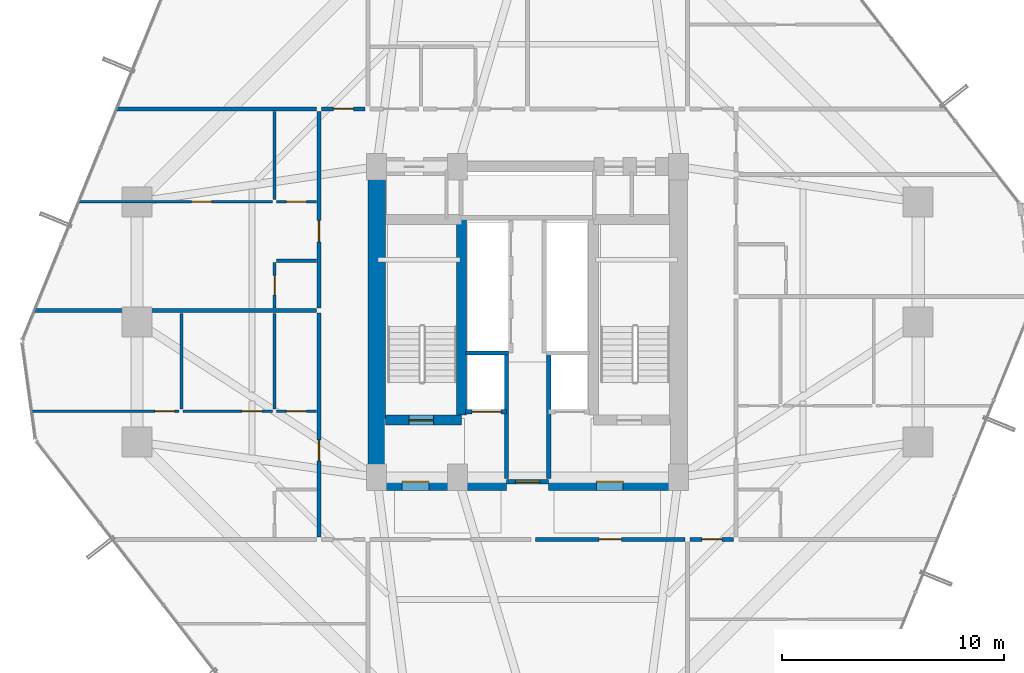
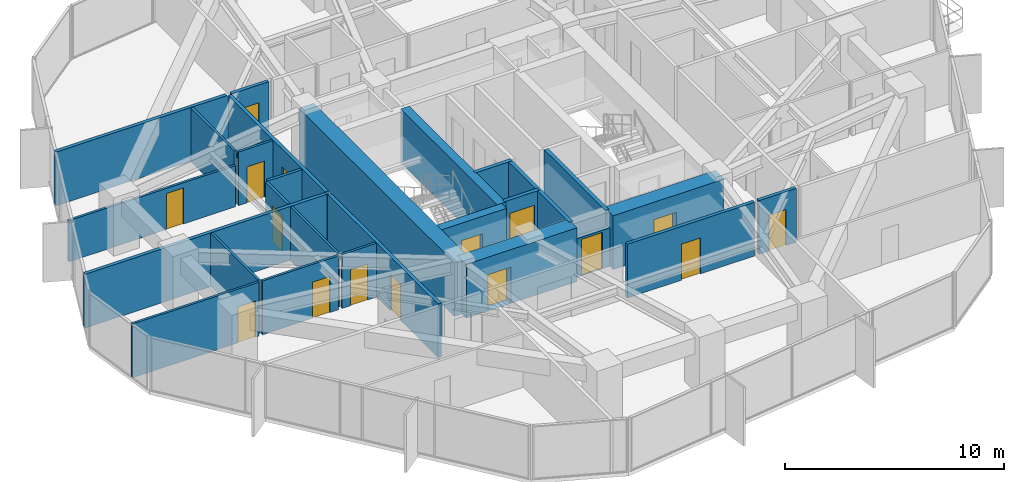
# One storey, part 33 of 37: 27 walls, 16 doors, 16 openings.
"""IFC4 building model written with IfcOpenShell, lengths in metres."""

import ifcopenshell
import ifcopenshell.guid

model = None  # the IFC model being written
_history = None  # IfcOwnerHistory: only IFC2X3 demands one
_inside = {}  # id of a spatial element -> (the spatial element, [elements in it])
_under = {}  # id of a project, library or spatial element -> (it, [spatial elements below it])
_declared = {}  # id of a project -> (the project, [libraries it declares])
_typed = {}  # id of a type object -> (the type object, [elements of that type])
_made_of = {}  # id of a material, layer set ... -> (it, [elements and type objects made of it])


def new_model(schema):
    """Start an empty IFC model of exactly this schema.

    Asked for "IFC4X3", IfcOpenShell would pick the latest addendum, in which some entities
    have other attributes; the version numbers below select the first issue.
    IFC2X3 requires an IfcOwnerHistory on every rooted entity: one is made here for all.
    """
    global model, _history
    if schema == "IFC4X3":
        model = ifcopenshell.file(schema_version=(4, 3, 0, 0))
    else:
        model = ifcopenshell.file(schema=schema)
    _inside.clear()
    _under.clear()
    _declared.clear()
    _typed.clear()
    _made_of.clear()
    _history = None
    if model.schema == "IFC2X3":
        org = make("IfcOrganization", Name="unknown")
        user = make(
            "IfcPersonAndOrganization",
            ThePerson=make("IfcPerson", FamilyName="unknown"),
            TheOrganization=org,
        )
        app = make(
            "IfcApplication",
            ApplicationDeveloper=org,
            Version="unknown",
            ApplicationFullName="unknown",
            ApplicationIdentifier="unknown",
        )
        _history = make(
            "IfcOwnerHistory",
            OwningUser=user,
            OwningApplication=app,
            ChangeAction="ADDED",
            CreationDate=0,
        )
    return model


def make(cls, **values):
    """One entity of the class cls with the attributes given. An attribute that is None is left unset."""
    return model.create_entity(
        cls, **{name: value for name, value in values.items() if value is not None}
    )


def rooted(cls, **values):
    """An entity with a GlobalId (a new one), such as an element, a storey or a relation."""
    return make(cls, GlobalId=ifcopenshell.guid.new(), OwnerHistory=_history, **values)


def si_unit(unit_type, name, prefix=None):
    """IfcSIUnit, for example si_unit("LENGTHUNIT", "METRE", prefix="MILLI")."""
    return make("IfcSIUnit", UnitType=unit_type, Prefix=prefix, Name=name)


def assignment(units):
    """IfcUnitAssignment: the units of a project."""
    return None if units is None else make("IfcUnitAssignment", Units=units)


def point(xyz):
    """IfcCartesianPoint."""
    return None if xyz is None else make("IfcCartesianPoint", Coordinates=xyz)


def direction(xyz):
    """IfcDirection."""
    return None if xyz is None else make("IfcDirection", DirectionRatios=xyz)


def frame(location, z_axis=None, x_axis=None):
    """IfcAxis2Placement3D, a coordinate frame: its origin and axes. An axis left out is left unset."""
    return make(
        "IfcAxis2Placement3D",
        Location=point(location),
        Axis=direction(z_axis),
        RefDirection=direction(x_axis),
    )


def frame_2d(location, x_axis=None):
    """IfcAxis2Placement2D, a coordinate frame in the plane: its origin and x axis."""
    return make(
        "IfcAxis2Placement2D", Location=point(location), RefDirection=direction(x_axis)
    )


def origin():
    """The frame at (0, 0, 0) with its axes left unset."""
    return frame((0.0, 0.0, 0.0))


def place(relative_to, where):
    """IfcLocalPlacement: puts the frame where relative to a parent placement (None: the world)."""
    return make(
        "IfcLocalPlacement", PlacementRelTo=relative_to, RelativePlacement=where
    )


def context(
    kind, dimensions, precision=None, world=None, true_north=None, identifier=None
):
    """IfcGeometricRepresentationContext, for example the 3D "Model" context."""
    return make(
        "IfcGeometricRepresentationContext",
        ContextIdentifier=identifier,
        ContextType=kind,
        CoordinateSpaceDimension=dimensions,
        Precision=precision,
        WorldCoordinateSystem=world,
        TrueNorth=true_north,
    )


def subcontext(parent, identifier, kind, view, scale=None):
    """IfcGeometricRepresentationSubContext, for example "Body" below "Model"."""
    return make(
        "IfcGeometricRepresentationSubContext",
        ContextIdentifier=identifier,
        ContextType=kind,
        ParentContext=parent,
        TargetScale=scale,
        TargetView=view,
    )


def project(units=None, contexts=None):
    """IfcProject with its units and contexts."""
    return rooted(
        "IfcProject",
        Name="project",
        RepresentationContexts=contexts,
        UnitsInContext=assignment(units),
    )


def spatial(cls, under=None, at=None, **own):
    """A site, building, storey or space (cls), placed at a placement, below another one or the project."""
    s = rooted(cls, ObjectPlacement=at, **own)
    if under is not None:
        _under.setdefault(under.id(), (under, []))[1].append(s)
    return s


def profile(cls, at=None, kind="AREA", **sizes):
    """A parametric profile (cls). Its sizes go by their IFC names, for example OverallWidth=200.0."""
    return make(cls, ProfileType=kind, Position=at, **sizes)


def rectangle(**sizes):
    """IfcRectangleProfileDef."""
    return profile("IfcRectangleProfileDef", **sizes)


def extrude(swept, where, along, depth):
    """IfcExtrudedAreaSolid: the profile swept, set in the frame where, extruded along a direction by depth."""
    return make(
        "IfcExtrudedAreaSolid",
        SweptArea=swept,
        Position=where,
        ExtrudedDirection=direction(along),
        Depth=depth,
    )


def shape(context_of_items, identifier, shape_type, items):
    """IfcShapeRepresentation: the items that make up one representation, for example the "Body"."""
    return make(
        "IfcShapeRepresentation",
        ContextOfItems=context_of_items,
        RepresentationIdentifier=identifier,
        RepresentationType=shape_type,
        Items=items,
    )


def source(mapping_origin, context_of_items, identifier, shape_type, items):
    """IfcRepresentationMap: a shape defined once, which mapped items show again and again."""
    return make(
        "IfcRepresentationMap",
        MappingOrigin=mapping_origin,
        MappedRepresentation=shape(context_of_items, identifier, shape_type, items),
    )


def transform(
    local_origin,
    x_axis=None,
    y_axis=None,
    z_axis=None,
    scale=None,
    scale2=None,
    scale3=None,
    uniform=True,
):
    """IfcCartesianTransformationOperator3D, or its non-uniform kind. x_axis, y_axis, z_axis: its Axis1, 2, 3."""
    if uniform:
        return make(
            "IfcCartesianTransformationOperator3D",
            Axis1=direction(x_axis),
            Axis2=direction(y_axis),
            LocalOrigin=point(local_origin),
            Scale=scale,
            Axis3=direction(z_axis),
        )
    return make(
        "IfcCartesianTransformationOperator3DnonUniform",
        Axis1=direction(x_axis),
        Axis2=direction(y_axis),
        LocalOrigin=point(local_origin),
        Scale=scale,
        Axis3=direction(z_axis),
        Scale2=scale2,
        Scale3=scale3,
    )


def mapped(mapping_source, mapping_target):
    """IfcMappedItem: shows the shape of a source again, moved by a transform."""
    return make(
        "IfcMappedItem", MappingSource=mapping_source, MappingTarget=mapping_target
    )


def material(Name=None, Category=None):
    """IfcMaterial."""
    return make("IfcMaterial", Name=Name, Category=Category)


def layer(
    of_material, thickness, ventilated=None, Name=None, Category=None, Priority=None
):
    """IfcMaterialLayer: one layer of a wall or slab, of a material (None: an air gap)."""
    return make(
        "IfcMaterialLayer",
        Material=of_material,
        LayerThickness=thickness,
        IsVentilated=ventilated,
        Name=Name,
        Category=Category,
        Priority=Priority,
    )


def layer_set(layers, Name=None):
    """IfcMaterialLayerSet."""
    return make("IfcMaterialLayerSet", MaterialLayers=layers, LayerSetName=Name)


def made_of(thing, what):
    """Note that an element or type object is made of a material, layer set ...; save() writes the relation."""
    if what is not None:
        _made_of.setdefault(what.id(), (what, []))[1].append(thing)
    return thing


def type_object(cls, material=None, **own):
    """A type object (cls), such as IfcWallType, which elements share."""
    return made_of(rooted(cls, **own), material)


def element(
    cls,
    number,
    at=None,
    inside=None,
    cuts=None,
    type_object=None,
    material=None,
    context=None,
    identifier="Body",
    shape_type=None,
    held_by="IfcProductDefinitionShape",
    body=None,
    shapes=None,
    **own,
):
    """One element of the class cls, such as IfcWall. Its Tag is "e" and its number.

    at: its placement. inside: the storey or other place that contains it. cuts: it is an
    opening in that element (IfcRelVoidsElement). A single representation is given by context,
    identifier, shape_type and body (its items); several are given by shapes. held_by: the class
    of the entity that holds the representations. save() writes the other relations.
    """
    e = rooted(cls, Tag="e%d" % number, ObjectPlacement=at, **own)
    if body is not None:
        shapes = [shape(context, identifier, shape_type, body)]
    if shapes is not None:
        e.Representation = make(held_by, Representations=shapes)
    if inside is not None:
        _inside.setdefault(inside.id(), (inside, []))[1].append(e)
    if cuts is not None:
        rooted(
            "IfcRelVoidsElement", RelatingBuildingElement=cuts, RelatedOpeningElement=e
        )
    if type_object is not None:
        _typed.setdefault(type_object.id(), (type_object, []))[1].append(e)
    return made_of(e, material)


def fill(opening, filler):
    """IfcRelFillsElement: the door or window that sits in an opening."""
    return rooted(
        "IfcRelFillsElement",
        RelatingOpeningElement=opening,
        RelatedBuildingElement=filler,
    )


def aggregate(whole, parts):
    """IfcRelAggregates: a whole, such as a stair, and the parts it consists of."""
    return rooted("IfcRelAggregates", RelatingObject=whole, RelatedObjects=parts)


def save(model, path):
    """Write the relations noted so far, then the file.

    IfcRelAggregates (storeys below a building ...), IfcRelContainedInSpatialStructure (elements
    in a storey), IfcRelDefinesByType, IfcRelAssociatesMaterial and IfcRelDeclares: one each for
    every whole, place, type object, material and project.
    """
    for whole, parts in _under.values():
        aggregate(whole, parts)
    for where, things in _inside.values():
        rooted(
            "IfcRelContainedInSpatialStructure",
            RelatedElements=things,
            RelatingStructure=where,
        )
    for kind, things in _typed.values():
        rooted("IfcRelDefinesByType", RelatedObjects=things, RelatingType=kind)
    for what, things in _made_of.values():
        rooted("IfcRelAssociatesMaterial", RelatedObjects=things, RelatingMaterial=what)
    for by, libraries in _declared.values():
        rooted("IfcRelDeclares", RelatingContext=by, RelatedDefinitions=libraries)
    model.write(path)


model = new_model("IFC4")

# Units and contexts
model_context = context("Model", 3, precision=1e-05, world=origin(), true_north=direction((0.0, 1.0)))
body_context = subcontext(model_context, "Body", "Model", "MODEL_VIEW")
ifc_project = project(units=[si_unit("LENGTHUNIT", "METRE"), si_unit("AREAUNIT", "SQUARE_METRE"), si_unit("VOLUMEUNIT", "CUBIC_METRE"), si_unit("PLANEANGLEUNIT", "RADIAN"), si_unit("MASSUNIT", "GRAM", prefix="KILO")], contexts=[model_context])

# Site, building, storey
site_placement = place(None, origin())
site = spatial("IfcSite", under=ifc_project, at=site_placement, CompositionType="ELEMENT")
building_placement = place(site_placement, origin())
building = spatial("IfcBuilding", under=site, at=building_placement, Name="Veraguas Prism Commons", CompositionType="ELEMENT")
storey_placement = place(building_placement, frame((0.0, 0.0, 50.050048828125)))
storey = spatial("IfcBuildingStorey", under=building, at=storey_placement, Name="L13", CompositionType="ELEMENT", Elevation=50.050048828125)

# Wall, opening, door
ifc_material_1 = material(Name="Concrete C60/75", Category="concrete")
ifc_layer_1 = layer(ifc_material_1, 0.449951171875, Name="Core Internal Shear Wall Lower RC 450", Category="concrete")
ifc_layer_set_1 = layer_set([ifc_layer_1], Name="Concrete C60/75")
wall_type_1 = type_object("IfcWallType", Name="Core Internal Shear Wall Lower RC 450", PredefinedType="SHEAR", material=ifc_layer_set_1)
wall_1_placement = place(storey_placement, frame((17.60009765625, 19.574951171875, 0.0), z_axis=(0.0, 0.0, 1.0), x_axis=(1.0, 0.0, 0.0)))
wall_1 = element("IfcWall", 1, at=wall_1_placement, inside=storey, type_object=wall_type_1, Name="Stair ST-01 South Shear Wall L13", PredefinedType="SHEAR", context=body_context, shape_type="SweptSolid", body=[
    extrude(rectangle(XDim=3.4248046875, YDim=0.449951171875, at=frame_2d((1.71240234375, 0.0))), origin(), (0.0, 0.0, 1.0), 3.0),
])
opening_1_placement = place(wall_1_placement, frame((1.050048828125, 0.0, 0.0)))
opening_1 = element("IfcOpeningElement", 2, at=opening_1_placement, cuts=wall_1, Name="Opening DR-05", PredefinedType="OPENING", context=body_context, shape_type="SweptSolid", body=[
    extrude(rectangle(XDim=1.10009765625, YDim=2.030029296875, at=frame_2d((0.550048828125, 1.01513671875))), frame((0.0, 0.23486328125, 0.0), z_axis=(0.0, -1.0, 0.0), x_axis=(1.0, 0.0, 0.0)), (0.0, 0.0, 1.0), 0.469970703125),
])
ifc_material_2 = material(Name="Steel fire-rated door assembly", Category="steel")
door_type_1 = type_object("IfcDoorType", Name="Protected Stair and Refuge Fire Door 1100x2030", OperationType="NOTDEFINED", PredefinedType="DOOR", material=ifc_material_2)
shared_shape_1 = source(origin(), body_context, "Body", "SweptSolid", [
    extrude(rectangle(XDim=1.10009765625, YDim=2.030029296875, at=frame_2d((0.550048828125, 1.01513671875))), frame((0.0, 0.02490234375, 0.0), z_axis=(0.0, -1.0, 0.0), x_axis=(1.0, 0.0, 0.0)), (0.0, 0.0, 1.0), 0.050048828125),
])
door_1_placement = place(opening_1_placement, origin())
door_1 = element("IfcDoor", 3, at=door_1_placement, inside=storey, type_object=door_type_1, Name="Stair ST-01 Enclosure Door L13", OperationType="SINGLE_SWING_LEFT", OverallHeight=2.030029296875, OverallWidth=1.10009765625, PredefinedType="DOOR", context=body_context, shape_type="MappedRepresentation", body=[
    mapped(shared_shape_1, transform((0.0, 0.0, 0.0), scale=1.0)),
])
fill(opening_1, door_1)

# Walls
wall_2_placement = place(storey_placement, frame((21.02490234375, 19.800048828125, 0.0), z_axis=(0.0, 0.0, 1.0), x_axis=(0.0, 1.0, 0.0)))
element("IfcWall", 4, at=wall_2_placement, inside=storey, type_object=wall_type_1, Name="Stair ST-01 Inner Shear Wall L13", PredefinedType="SHEAR", context=body_context, shape_type="SweptSolid", body=[
    extrude(rectangle(XDim=8.824951171875, YDim=0.449951171875, at=frame_2d((4.41259765625, 0.0))), origin(), (0.0, 0.0, 1.0), 3.0),
])
ifc_layer_2 = layer(ifc_material_1, 0.800048828125, Name="Core Outer Shear Wall Lower RC 800", Category="concrete")
ifc_layer_set_2 = layer_set([ifc_layer_2], Name="Concrete C60/75")
wall_type_2 = type_object("IfcWallType", Name="Core Outer Shear Wall Lower RC 800", PredefinedType="SHEAR", material=ifc_layer_set_2)
wall_3_placement = place(storey_placement, frame((17.199951171875, 16.800048828125, 0.0), z_axis=(0.0, 0.0, 1.0), x_axis=(0.0, 1.0, 0.0)))
element("IfcWall", 5, at=wall_3_placement, inside=storey, type_object=wall_type_2, Name="Central Core West Shear Wall L13", PredefinedType="SHEAR", context=body_context, shape_type="SweptSolid", body=[
    extrude(rectangle(XDim=14.199951171875, YDim=0.800048828125, at=frame_2d((7.10009765625, 0.0))), origin(), (0.0, 0.0, 1.0), 3.0),
])

# Wall, opening, door
wall_4_placement = place(storey_placement, frame((17.199951171875, 16.800048828125, 0.0), z_axis=(0.0, 0.0, 1.0), x_axis=(1.0, 0.0, 0.0)))
wall_4 = element("IfcWall", 6, at=wall_4_placement, inside=storey, type_object=wall_type_2, Name="Central Core South-West Shear Wall L13", PredefinedType="SHEAR", context=body_context, shape_type="SweptSolid", body=[
    extrude(rectangle(XDim=5.85009765625, YDim=0.800048828125, at=frame_2d((2.925048828125, 0.0))), origin(), (0.0, 0.0, 1.0), 3.0),
])
opening_2_placement = place(wall_4_placement, frame((1.14990234375, 0.0, 0.0)))
opening_2 = element("IfcOpeningElement", 7, at=opening_2_placement, cuts=wall_4, Name="Opening DR-06", PredefinedType="OPENING", context=body_context, shape_type="SweptSolid", body=[
    extrude(rectangle(XDim=1.199951171875, YDim=2.030029296875, at=frame_2d((0.60009765625, 1.01513671875))), frame((0.0, 0.409912109375, 0.0), z_axis=(0.0, -1.0, 0.0), x_axis=(1.0, 0.0, 0.0)), (0.0, 0.0, 1.0), 0.820068359375),
])
door_type_2 = type_object("IfcDoorType", Name="Firefighting Lobby Smoke Door 1200x2030", OperationType="NOTDEFINED", PredefinedType="DOOR", material=ifc_material_2)
shared_shape_2 = source(origin(), body_context, "Body", "SweptSolid", [
    extrude(rectangle(XDim=1.199951171875, YDim=2.030029296875, at=frame_2d((0.60009765625, 1.01513671875))), frame((0.0, 0.02490234375, 0.0), z_axis=(0.0, -1.0, 0.0), x_axis=(1.0, 0.0, 0.0)), (0.0, 0.0, 1.0), 0.050048828125),
])
door_2_placement = place(opening_2_placement, origin())
door_2 = element("IfcDoor", 8, at=door_2_placement, inside=storey, type_object=door_type_2, Name="West FF Lobby Door L13", OperationType="SINGLE_SWING_LEFT", OverallHeight=2.030029296875, OverallWidth=1.199951171875, PredefinedType="DOOR", context=body_context, shape_type="MappedRepresentation", body=[
    mapped(shared_shape_2, transform((0.0, 0.0, 0.0), scale=1.0)),
])
fill(opening_2, door_2)

wall_5_placement = place(storey_placement, frame((24.949951171875, 16.800048828125, 0.0), z_axis=(0.0, 0.0, 1.0), x_axis=(1.0, 0.0, 0.0)))
wall_5 = element("IfcWall", 9, at=wall_5_placement, inside=storey, type_object=wall_type_2, Name="Central Core South-East Shear Wall L13", PredefinedType="SHEAR", context=body_context, shape_type="SweptSolid", body=[
    extrude(rectangle(XDim=5.85009765625, YDim=0.800048828125, at=frame_2d((2.925048828125, 0.0))), origin(), (0.0, 0.0, 1.0), 3.0),
])
opening_3_placement = place(wall_5_placement, frame((2.14990234375, 0.0, 0.0)))
opening_3 = element("IfcOpeningElement", 10, at=opening_3_placement, cuts=wall_5, Name="Opening DR-06", PredefinedType="OPENING", context=body_context, shape_type="SweptSolid", body=[
    extrude(rectangle(XDim=1.199951171875, YDim=2.030029296875, at=frame_2d((0.60009765625, 1.01513671875))), frame((0.0, 0.409912109375, 0.0), z_axis=(0.0, -1.0, 0.0), x_axis=(1.0, 0.0, 0.0)), (0.0, 0.0, 1.0), 0.820068359375),
])
door_3_placement = place(opening_3_placement, origin())
door_3 = element("IfcDoor", 11, at=door_3_placement, inside=storey, type_object=door_type_2, Name="East FF Lobby Door L13", OperationType="SINGLE_SWING_LEFT", OverallHeight=2.030029296875, OverallWidth=1.199951171875, PredefinedType="DOOR", context=body_context, shape_type="MappedRepresentation", body=[
    mapped(shared_shape_2, transform((0.0, 0.0, 0.0), scale=1.0)),
])
fill(opening_3, door_3)

ifc_material_3 = material(Name="Autoclaved aerated masonry block 10 MPa", Category="masonry")
ifc_layer_3 = layer(ifc_material_3, 0.179931640625, Name="Corridor and Inter-Tenancy Partition 180", Category="masonry")
ifc_layer_set_3 = layer_set([ifc_layer_3], Name="Autoclaved aerated masonry block 10 MPa")
wall_type_3 = type_object("IfcWallType", Name="Corridor and Inter-Tenancy Partition 180", PredefinedType="PARTITIONING", material=ifc_layer_set_3)
wall_6_placement = place(storey_placement, frame((24.367919921875, 14.199951171875, 0.0), z_axis=(0.0, 0.0, 1.0), x_axis=(1.0, 0.0, 0.0)))
wall_6 = element("IfcWall", 12, at=wall_6_placement, inside=storey, type_object=wall_type_3, Name="WL-L13-PT004", PredefinedType="PARTITIONING", context=body_context, shape_type="SweptSolid", body=[
    extrude(rectangle(XDim=6.72216796875, YDim=0.179931640625, at=frame_2d((3.361083984375, 0.0))), origin(), (0.0, 0.0, 1.0), 3.0),
])
opening_4_placement = place(wall_6_placement, frame((2.861083984375, 0.0, 0.0)))
opening_4 = element("IfcOpeningElement", 13, at=opening_4_placement, cuts=wall_6, Name="Opening DR-13", PredefinedType="OPENING", context=body_context, shape_type="SweptSolid", body=[
    extrude(rectangle(XDim=1.0, YDim=2.010009765625, at=frame_2d((0.5, 1.0048828125))), frame((0.0, 0.099853515625, 0.0), z_axis=(0.0, -1.0, 0.0), x_axis=(1.0, 0.0, 0.0)), (0.0, 0.0, 1.0), 0.199951171875),
])
door_type_3 = type_object("IfcDoorType", Name="Core Accessible WC and Clinic Fire Door 1000x2010", OperationType="NOTDEFINED", PredefinedType="DOOR", material=ifc_material_2)
shared_shape_3 = source(origin(), body_context, "Body", "SweptSolid", [
    extrude(rectangle(XDim=1.0, YDim=2.010009765625, at=frame_2d((0.5, 1.0048828125))), frame((0.0, 0.02490234375, 0.0), z_axis=(0.0, -1.0, 0.0), x_axis=(1.0, 0.0, 0.0)), (0.0, 0.0, 1.0), 0.050048828125),
])
door_4_placement = place(opening_4_placement, origin())
door_4 = element("IfcDoor", 14, at=door_4_placement, inside=storey, type_object=door_type_3, Name="Community Multipurpose Assembly Hall Door 2", OperationType="SINGLE_SWING_RIGHT", OverallHeight=2.010009765625, OverallWidth=1.0, PredefinedType="DOOR", context=body_context, shape_type="MappedRepresentation", body=[
    mapped(shared_shape_3, transform((0.0, 0.0, 0.0), scale=1.0)),
])
fill(opening_4, door_4)

# Wall
wall_7_placement = place(storey_placement, frame((14.47998046875, 33.60009765625, 0.0), z_axis=(0.0, 0.0, 1.0), x_axis=(-1.0, 0.0, 0.0)))
element("IfcWall", 15, at=wall_7_placement, inside=storey, type_object=wall_type_3, Name="WL-L13-PT017", PredefinedType="PARTITIONING", context=body_context, shape_type="SweptSolid", body=[
    extrude(rectangle(XDim=9.044921875, YDim=0.179931640625, at=frame_2d((4.5224609375, 0.0))), origin(), (0.0, 0.0, 1.0), 3.0),
])

# Wall, opening, door
wall_8_placement = place(storey_placement, frame((14.60009765625, 14.31005859375, 0.0), z_axis=(0.0, 0.0, 1.0), x_axis=(0.0, 1.0, 0.0)))
wall_8 = element("IfcWall", 16, at=wall_8_placement, inside=storey, type_object=wall_type_3, Name="WL-L13-PT018", PredefinedType="PARTITIONING", context=body_context, shape_type="SweptSolid", body=[
    extrude(rectangle(XDim=10.087890625, YDim=0.179931640625, at=frame_2d((5.0439453125, 0.0))), origin(), (0.0, 0.0, 1.0), 3.0),
])
opening_5_placement = place(wall_8_placement, frame((3.426025390625, 0.0, 0.0)))
opening_5 = element("IfcOpeningElement", 17, at=opening_5_placement, cuts=wall_8, Name="Opening DR-01", PredefinedType="OPENING", context=body_context, shape_type="SweptSolid", body=[
    extrude(rectangle(XDim=0.949951171875, YDim=2.02001953125, at=frame_2d((0.47509765625, 1.010009765625))), frame((0.0, 0.099853515625, 0.0), z_axis=(0.0, -1.0, 0.0), x_axis=(1.0, 0.0, 0.0)), (0.0, 0.0, 1.0), 0.199951171875),
])
ifc_material_4 = material(Name="Anodised aluminium EN AW-6063 T6", Category="aluminium")
door_type_4 = type_object("IfcDoorType", Name="Apartment Entrance Fire Door 950x2020", OperationType="NOTDEFINED", PredefinedType="DOOR", material=ifc_material_4)
shared_shape_4 = source(origin(), body_context, "Body", "SweptSolid", [
    extrude(rectangle(XDim=0.949951171875, YDim=2.02001953125, at=frame_2d((0.47509765625, 1.010009765625))), frame((0.0, 0.02490234375, 0.0), z_axis=(0.0, -1.0, 0.0), x_axis=(1.0, 0.0, 0.0)), (0.0, 0.0, 1.0), 0.050048828125),
])
door_5_placement = place(opening_5_placement, origin())
door_5 = element("IfcDoor", 18, at=door_5_placement, inside=storey, type_object=door_type_4, Name="Flat 13A Entrance Door", OperationType="SINGLE_SWING_LEFT", OverallHeight=2.02001953125, OverallWidth=0.949951171875, PredefinedType="DOOR", context=body_context, shape_type="MappedRepresentation", body=[
    mapped(shared_shape_4, transform((0.0, 0.0, 0.0), scale=1.0)),
])
fill(opening_5, door_5)

# Wall
wall_9_placement = place(storey_placement, frame((14.47998046875, 24.508056640625, 0.0), z_axis=(0.0, 0.0, 1.0), x_axis=(-1.0, 0.0, 0.0)))
element("IfcWall", 19, at=wall_9_placement, inside=storey, type_object=wall_type_3, Name="WL-L13-PT026", PredefinedType="PARTITIONING", context=body_context, shape_type="SweptSolid", body=[
    extrude(rectangle(XDim=12.747802734375, YDim=0.179931640625, at=frame_2d((6.3740234375, 0.0))), origin(), (0.0, 0.0, 1.0), 3.0),
])

# Wall, opening, door
wall_10_placement = place(storey_placement, frame((14.60009765625, 24.617919921875, 0.0), z_axis=(0.0, 0.0, 1.0), x_axis=(0.0, 1.0, 0.0)))
wall_10 = element("IfcWall", 20, at=wall_10_placement, inside=storey, type_object=wall_type_3, Name="WL-L13-PT027", PredefinedType="PARTITIONING", context=body_context, shape_type="SweptSolid", body=[
    extrude(rectangle(XDim=8.8720703125, YDim=0.179931640625, at=frame_2d((4.43603515625, 0.0))), origin(), (0.0, 0.0, 1.0), 3.0),
])
opening_6_placement = place(wall_10_placement, frame((2.9951171875, 0.0, 0.0)))
opening_6 = element("IfcOpeningElement", 21, at=opening_6_placement, cuts=wall_10, Name="Opening DR-01", PredefinedType="OPENING", context=body_context, shape_type="SweptSolid", body=[
    extrude(rectangle(XDim=0.949951171875, YDim=2.02001953125, at=frame_2d((0.47509765625, 1.010009765625))), frame((0.0, 0.099853515625, 0.0), z_axis=(0.0, -1.0, 0.0), x_axis=(1.0, 0.0, 0.0)), (0.0, 0.0, 1.0), 0.199951171875),
])
door_6_placement = place(opening_6_placement, origin())
door_6 = element("IfcDoor", 22, at=door_6_placement, inside=storey, type_object=door_type_4, Name="Flat 13B Entrance Door", OperationType="SINGLE_SWING_RIGHT", OverallHeight=2.02001953125, OverallWidth=0.949951171875, PredefinedType="DOOR", context=body_context, shape_type="MappedRepresentation", body=[
    mapped(shared_shape_4, transform((0.0, 0.0, 0.0), scale=1.0)),
])
fill(opening_6, door_6)

wall_11_placement = place(storey_placement, frame((31.320068359375, 14.199951171875, 0.0), z_axis=(0.0, 0.0, 1.0), x_axis=(1.0, 0.0, 0.0)))
wall_11 = element("IfcWall", 23, at=wall_11_placement, inside=storey, type_object=wall_type_3, Name="WL-L13-PT051", PredefinedType="PARTITIONING", context=body_context, shape_type="SweptSolid", body=[
    extrude(rectangle(XDim=1.9599609375, YDim=0.179931640625, at=frame_2d((0.97998046875, 0.0))), origin(), (0.0, 0.0, 1.0), 3.0),
])
opening_7_placement = place(wall_11_placement, frame((0.530029296875, 0.0, 0.0)))
opening_7 = element("IfcOpeningElement", 24, at=opening_7_placement, cuts=wall_11, Name="Opening DR-14", PredefinedType="OPENING", context=body_context, shape_type="SweptSolid", body=[
    extrude(rectangle(XDim=0.89990234375, YDim=2.010009765625, at=frame_2d((0.449951171875, 1.0048828125))), frame((0.0, 0.099853515625, 0.0), z_axis=(0.0, -1.0, 0.0), x_axis=(1.0, 0.0, 0.0)), (0.0, 0.0, 1.0), 0.199951171875),
])
door_type_5 = type_object("IfcDoorType", Name="Core Service Room Fire Door 900x2010", OperationType="NOTDEFINED", PredefinedType="DOOR", material=ifc_material_2)
shared_shape_5 = source(origin(), body_context, "Body", "SweptSolid", [
    extrude(rectangle(XDim=0.89990234375, YDim=2.010009765625, at=frame_2d((0.449951171875, 1.0048828125))), frame((0.0, 0.02490234375, 0.0), z_axis=(0.0, -1.0, 0.0), x_axis=(1.0, 0.0, 0.0)), (0.0, 0.0, 1.0), 0.050048828125),
])
door_7_placement = place(opening_7_placement, origin())
door_7 = element("IfcDoor", 25, at=door_7_placement, inside=storey, type_object=door_type_5, Name="Corner Study SE Door", OperationType="SINGLE_SWING_RIGHT", OverallHeight=2.010009765625, OverallWidth=0.89990234375, PredefinedType="DOOR", context=body_context, shape_type="MappedRepresentation", body=[
    mapped(shared_shape_5, transform((0.0, 0.0, 0.0), scale=1.0)),
])
fill(opening_7, door_7)

wall_12_placement = place(storey_placement, frame((14.719970703125, 33.60009765625, 0.0), z_axis=(0.0, 0.0, 1.0), x_axis=(1.0, 0.0, 0.0)))
wall_12 = element("IfcWall", 26, at=wall_12_placement, inside=storey, type_object=wall_type_3, Name="WL-L13-PT053", PredefinedType="PARTITIONING", context=body_context, shape_type="SweptSolid", body=[
    extrude(rectangle(XDim=1.9599609375, YDim=0.179931640625, at=frame_2d((0.97998046875, 0.0))), origin(), (0.0, 0.0, 1.0), 3.0),
])
opening_8_placement = place(wall_12_placement, frame((0.530029296875, 0.0, 0.0)))
opening_8 = element("IfcOpeningElement", 27, at=opening_8_placement, cuts=wall_12, Name="Opening DR-14", PredefinedType="OPENING", context=body_context, shape_type="SweptSolid", body=[
    extrude(rectangle(XDim=0.89990234375, YDim=2.010009765625, at=frame_2d((0.449951171875, 1.0048828125))), frame((0.0, 0.099853515625, 0.0), z_axis=(0.0, -1.0, 0.0), x_axis=(1.0, 0.0, 0.0)), (0.0, 0.0, 1.0), 0.199951171875),
])
door_8_placement = place(opening_8_placement, origin())
door_8 = element("IfcDoor", 28, at=door_8_placement, inside=storey, type_object=door_type_5, Name="Residents Corner Study Room NW Door", OperationType="SINGLE_SWING_RIGHT", OverallHeight=2.010009765625, OverallWidth=0.89990234375, PredefinedType="DOOR", context=body_context, shape_type="MappedRepresentation", body=[
    mapped(shared_shape_5, transform((0.0, 0.0, 0.0), scale=1.0)),
])
fill(opening_8, door_8)

ifc_material_5 = material(Name="Lightweight acoustic gypsum board")
ifc_layer_4 = layer(ifc_material_5, 0.125, Name="Internal Apartment Room Partition 125")
ifc_layer_set_4 = layer_set([ifc_layer_4], Name="Lightweight acoustic gypsum board")
wall_type_4 = type_object("IfcWallType", Name="Internal Apartment Room Partition 125", PredefinedType="PARTITIONING", material=ifc_layer_set_4)
wall_13_placement = place(storey_placement, frame((14.47998046875, 19.971923828125, 0.0), z_axis=(0.0, 0.0, 1.0), x_axis=(-1.0, 0.0, 0.0)))
wall_13 = element("IfcWall", 29, at=wall_13_placement, inside=storey, type_object=wall_type_4, Name="WL-L13-PT021", PredefinedType="PARTITIONING", context=body_context, shape_type="SweptSolid", body=[
    extrude(rectangle(XDim=1.800048828125, YDim=0.125, at=frame_2d((0.89990234375, 0.0))), origin(), (0.0, 0.0, 1.0), 3.0),
])
opening_9_placement = place(wall_13_placement, frame((0.449951171875, 0.0, 0.0)))
opening_9 = element("IfcOpeningElement", 30, at=opening_9_placement, cuts=wall_13, Name="Opening DR-02", PredefinedType="OPENING", context=body_context, shape_type="SweptSolid", body=[
    extrude(rectangle(XDim=0.89990234375, YDim=2.010009765625, at=frame_2d((0.449951171875, 1.0048828125))), frame((0.0, 0.072509765625, 0.0), z_axis=(0.0, -1.0, 0.0), x_axis=(1.0, 0.0, 0.0)), (0.0, 0.0, 1.0), 0.14501953125),
])
ifc_material_6 = material(Name="Timber solid core hardwood", Category="wood")
door_type_6 = type_object("IfcDoorType", Name="Internal Habitable Room Door 900x2010", OperationType="NOTDEFINED", PredefinedType="DOOR", material=ifc_material_6)
door_9_placement = place(opening_9_placement, origin())
door_9 = element("IfcDoor", 31, at=door_9_placement, inside=storey, type_object=door_type_6, Name="Flat 13A Kitchen Door", OperationType="SINGLE_SWING_LEFT", OverallHeight=2.010009765625, OverallWidth=0.89990234375, PredefinedType="DOOR", context=body_context, shape_type="MappedRepresentation", body=[
    mapped(shared_shape_5, transform((0.0, 0.0, 0.0), scale=1.0)),
])
fill(opening_9, door_9)

# Walls
for number, where, z_axis, x_axis, name in (
    (32, (12.60009765625, 20.072021484375, 0.0), (0.0, 0.0, 1.0), (0.0, 1.0, 0.0), "WL-L13-PT022"),
    (33, (8.39990234375, 20.072021484375, 0.0), (0.0, 0.0, 1.0), (0.0, 1.0, 0.0), "WL-L13-PT023"),
):
    element("IfcWall", number, at=place(storey_placement, frame(where, z_axis=z_axis, x_axis=x_axis)), inside=storey, type_object=wall_type_4, Name=name, PredefinedType="PARTITIONING", context=body_context, shape_type="SweptSolid", body=[
        extrude(rectangle(XDim=4.31591796875, YDim=0.125, at=frame_2d((2.157958984375, 0.0))), origin(), (0.0, 0.0, 1.0), 3.0),
    ])

# Wall, opening, door
wall_14_placement = place(storey_placement, frame((12.5, 19.971923828125, 0.0), z_axis=(0.0, 0.0, 1.0), x_axis=(-1.0, 0.0, 0.0)))
wall_14 = element("IfcWall", 34, at=wall_14_placement, inside=storey, type_object=wall_type_4, Name="WL-L13-PT024", PredefinedType="PARTITIONING", context=body_context, shape_type="SweptSolid", body=[
    extrude(rectangle(XDim=4.02001953125, YDim=0.125, at=frame_2d((2.010009765625, 0.0))), origin(), (0.0, 0.0, 1.0), 3.0),
])
opening_10_placement = place(wall_14_placement, frame((0.471923828125, 0.0, 0.0)))
opening_10 = element("IfcOpeningElement", 35, at=opening_10_placement, cuts=wall_14, Name="Opening DR-02", PredefinedType="OPENING", context=body_context, shape_type="SweptSolid", body=[
    extrude(rectangle(XDim=0.89990234375, YDim=2.010009765625, at=frame_2d((0.449951171875, 1.0048828125))), frame((0.0, 0.072509765625, 0.0), z_axis=(0.0, -1.0, 0.0), x_axis=(1.0, 0.0, 0.0)), (0.0, 0.0, 1.0), 0.14501953125),
])
door_10_placement = place(opening_10_placement, origin())
door_10 = element("IfcDoor", 36, at=door_10_placement, inside=storey, type_object=door_type_6, Name="Flat 13A Bedroom 1 Door", OperationType="SINGLE_SWING_RIGHT", OverallHeight=2.010009765625, OverallWidth=0.89990234375, PredefinedType="DOOR", context=body_context, shape_type="MappedRepresentation", body=[
    mapped(shared_shape_5, transform((0.0, 0.0, 0.0), scale=1.0)),
])
fill(opening_10, door_10)

wall_15_placement = place(storey_placement, frame((8.300048828125, 19.971923828125, 0.0), z_axis=(0.0, 0.0, 1.0), x_axis=(-1.0, 0.0, 0.0)))
wall_15 = element("IfcWall", 37, at=wall_15_placement, inside=storey, type_object=wall_type_4, Name="WL-L13-PT025", PredefinedType="PARTITIONING", context=body_context, shape_type="SweptSolid", body=[
    extrude(rectangle(XDim=6.69091796875, YDim=0.125, at=frame_2d((3.345458984375, 0.0))), origin(), (0.0, 0.0, 1.0), 3.0),
])
opening_11_placement = place(wall_15_placement, frame((0.199951171875, 0.0, 0.0)))
opening_11 = element("IfcOpeningElement", 38, at=opening_11_placement, cuts=wall_15, Name="Opening DR-02", PredefinedType="OPENING", context=body_context, shape_type="SweptSolid", body=[
    extrude(rectangle(XDim=0.89990234375, YDim=2.010009765625, at=frame_2d((0.449951171875, 1.0048828125))), frame((0.0, 0.072509765625, 0.0), z_axis=(0.0, -1.0, 0.0), x_axis=(1.0, 0.0, 0.0)), (0.0, 0.0, 1.0), 0.14501953125),
])
door_11_placement = place(opening_11_placement, origin())
door_11 = element("IfcDoor", 39, at=door_11_placement, inside=storey, type_object=door_type_6, Name="Flat 13A Bedroom 2 Door", OperationType="SINGLE_SWING_LEFT", OverallHeight=2.010009765625, OverallWidth=0.89990234375, PredefinedType="DOOR", context=body_context, shape_type="MappedRepresentation", body=[
    mapped(shared_shape_5, transform((0.0, 0.0, 0.0), scale=1.0)),
])
fill(opening_11, door_11)

wall_16_placement = place(storey_placement, frame((12.60009765625, 24.6279296875, 0.0), z_axis=(0.0, 0.0, 1.0), x_axis=(0.0, 1.0, 0.0)))
wall_16 = element("IfcWall", 40, at=wall_16_placement, inside=storey, type_object=wall_type_4, Name="WL-L13-PT029", PredefinedType="PARTITIONING", context=body_context, shape_type="SweptSolid", body=[
    extrude(rectangle(XDim=2.050048828125, YDim=0.125, at=frame_2d((1.02490234375, 0.0))), origin(), (0.0, 0.0, 1.0), 3.0),
])
opening_12_placement = place(wall_16_placement, frame((0.594970703125, 0.0, 0.0)))
opening_12 = element("IfcOpeningElement", 41, at=opening_12_placement, cuts=wall_16, Name="Opening DR-03", PredefinedType="OPENING", context=body_context, shape_type="SweptSolid", body=[
    extrude(rectangle(XDim=0.860107421875, YDim=2.010009765625, at=frame_2d((0.43017578125, 1.0048828125))), frame((0.0, 0.072509765625, 0.0), z_axis=(0.0, -1.0, 0.0), x_axis=(1.0, 0.0, 0.0)), (0.0, 0.0, 1.0), 0.14501953125),
])
ifc_material_7 = material(Name="Timber moisture-resistant leaf", Category="wood")
door_type_7 = type_object("IfcDoorType", Name="Internal Bathroom Door 860x2010", OperationType="NOTDEFINED", PredefinedType="DOOR", material=ifc_material_7)
shared_shape_6 = source(origin(), body_context, "Body", "SweptSolid", [
    extrude(rectangle(XDim=0.860107421875, YDim=2.010009765625, at=frame_2d((0.43017578125, 1.0048828125))), frame((0.0, 0.02490234375, 0.0), z_axis=(0.0, -1.0, 0.0), x_axis=(1.0, 0.0, 0.0)), (0.0, 0.0, 1.0), 0.050048828125),
])
door_12_placement = place(opening_12_placement, origin())
door_12 = element("IfcDoor", 42, at=door_12_placement, inside=storey, type_object=door_type_7, Name="Flat 13B Bathroom Door", OperationType="SINGLE_SWING_LEFT", OverallHeight=2.010009765625, OverallWidth=0.860107421875, PredefinedType="DOOR", context=body_context, shape_type="MappedRepresentation", body=[
    mapped(shared_shape_6, transform((0.0, 0.0, 0.0), scale=1.0)),
])
fill(opening_12, door_12)

wall_17_placement = place(storey_placement, frame((14.47998046875, 29.41796875, 0.0), z_axis=(0.0, 0.0, 1.0), x_axis=(-1.0, 0.0, 0.0)))
wall_17 = element("IfcWall", 43, at=wall_17_placement, inside=storey, type_object=wall_type_4, Name="WL-L13-PT030", PredefinedType="PARTITIONING", context=body_context, shape_type="SweptSolid", body=[
    extrude(rectangle(XDim=1.800048828125, YDim=0.125, at=frame_2d((0.89990234375, 0.0))), origin(), (0.0, 0.0, 1.0), 3.0),
])
opening_13_placement = place(wall_17_placement, frame((0.449951171875, 0.0, 0.0)))
opening_13 = element("IfcOpeningElement", 44, at=opening_13_placement, cuts=wall_17, Name="Opening DR-02", PredefinedType="OPENING", context=body_context, shape_type="SweptSolid", body=[
    extrude(rectangle(XDim=0.89990234375, YDim=2.010009765625, at=frame_2d((0.449951171875, 1.0048828125))), frame((0.0, 0.072509765625, 0.0), z_axis=(0.0, -1.0, 0.0), x_axis=(1.0, 0.0, 0.0)), (0.0, 0.0, 1.0), 0.14501953125),
])
door_13_placement = place(opening_13_placement, origin())
door_13 = element("IfcDoor", 45, at=door_13_placement, inside=storey, type_object=door_type_6, Name="Flat 13B Kitchen Door", OperationType="SINGLE_SWING_RIGHT", OverallHeight=2.010009765625, OverallWidth=0.89990234375, PredefinedType="DOOR", context=body_context, shape_type="MappedRepresentation", body=[
    mapped(shared_shape_5, transform((0.0, 0.0, 0.0), scale=1.0)),
])
fill(opening_13, door_13)

# Wall
wall_18_placement = place(storey_placement, frame((12.60009765625, 29.51806640625, 0.0), z_axis=(0.0, 0.0, 1.0), x_axis=(0.0, 1.0, 0.0)))
element("IfcWall", 46, at=wall_18_placement, inside=storey, type_object=wall_type_4, Name="WL-L13-PT031", PredefinedType="PARTITIONING", context=body_context, shape_type="SweptSolid", body=[
    extrude(rectangle(XDim=3.9619140625, YDim=0.125, at=frame_2d((1.98095703125, 0.0))), origin(), (0.0, 0.0, 1.0), 3.0),
])

# Wall, opening, door
wall_19_placement = place(storey_placement, frame((12.5, 29.41796875, 0.0), z_axis=(0.0, 0.0, 1.0), x_axis=(-1.0, 0.0, 0.0)))
wall_19 = element("IfcWall", 47, at=wall_19_placement, inside=storey, type_object=wall_type_4, Name="WL-L13-PT032", PredefinedType="PARTITIONING", context=body_context, shape_type="SweptSolid", body=[
    extrude(rectangle(XDim=8.76806640625, YDim=0.125, at=frame_2d((4.384033203125, 0.0))), origin(), (0.0, 0.0, 1.0), 2.299072265625),
])
opening_14_placement = place(wall_19_placement, frame((2.7392578125, 0.0, 0.0)))
opening_14 = element("IfcOpeningElement", 48, at=opening_14_placement, cuts=wall_19, Name="Opening DR-02", PredefinedType="OPENING", context=body_context, shape_type="SweptSolid", body=[
    extrude(rectangle(XDim=0.89990234375, YDim=2.010009765625, at=frame_2d((0.449951171875, 1.0048828125))), frame((0.0, 0.072509765625, 0.0), z_axis=(0.0, -1.0, 0.0), x_axis=(1.0, 0.0, 0.0)), (0.0, 0.0, 1.0), 0.14501953125),
])
door_14_placement = place(opening_14_placement, origin())
door_14 = element("IfcDoor", 49, at=door_14_placement, inside=storey, type_object=door_type_6, Name="Flat 13B Bedroom 1 Door", OperationType="SINGLE_SWING_LEFT", OverallHeight=2.010009765625, OverallWidth=0.89990234375, PredefinedType="DOOR", context=body_context, shape_type="MappedRepresentation", body=[
    mapped(shared_shape_5, transform((0.0, 0.0, 0.0), scale=1.0)),
])
fill(opening_14, door_14)

ifc_layer_5 = layer(ifc_material_3, 0.199951171875, Name="Rated Shaft and Lobby Block Wall 200", Category="masonry")
ifc_layer_set_5 = layer_set([ifc_layer_5], Name="Autoclaved aerated masonry block 10 MPa")
wall_type_5 = type_object("IfcWallType", Name="Rated Shaft and Lobby Block Wall 200", PredefinedType="SOLIDWALL", material=ifc_layer_set_5)
wall_20_placement = place(storey_placement, frame((23.050048828125, 16.800048828125, 0.0), z_axis=(0.0, 0.0, 1.0), x_axis=(1.0, 0.0, 0.0)))
wall_20 = element("IfcWall", 50, at=wall_20_placement, inside=storey, type_object=wall_type_5, Name="Central Core Lobby Entrance Wall L13", PredefinedType="SOLIDWALL", context=body_context, shape_type="SweptSolid", body=[
    extrude(rectangle(XDim=1.89990234375, YDim=0.199951171875, at=frame_2d((0.949951171875, 0.0))), origin(), (0.0, 0.0, 1.0), 2.14990234375),
])
opening_15_placement = place(wall_20_placement, frame((0.39990234375, 0.0, 0.0)))
opening_15 = element("IfcOpeningElement", 51, at=opening_15_placement, cuts=wall_20, Name="Opening DR-05", PredefinedType="OPENING", context=body_context, shape_type="SweptSolid", body=[
    extrude(rectangle(XDim=1.10009765625, YDim=2.030029296875, at=frame_2d((0.550048828125, 1.01513671875))), frame((0.0, 0.10986328125, 0.0), z_axis=(0.0, -1.0, 0.0), x_axis=(1.0, 0.0, 0.0)), (0.0, 0.0, 1.0), 0.219970703125),
])
door_15_placement = place(opening_15_placement, origin())
door_15 = element("IfcDoor", 52, at=door_15_placement, inside=storey, type_object=door_type_1, Name="Central Lobby Door L13", OperationType="SINGLE_SWING_RIGHT", OverallHeight=2.030029296875, OverallWidth=1.10009765625, PredefinedType="DOOR", context=body_context, shape_type="MappedRepresentation", body=[
    mapped(shared_shape_1, transform((0.0, 0.0, 0.0), scale=1.0)),
])
fill(opening_15, door_15)

wall_21_placement = place(storey_placement, frame((21.199951171875, 19.949951171875, 0.0), z_axis=(0.0, 0.0, 1.0), x_axis=(1.0, 0.0, 0.0)))
wall_21 = element("IfcWall", 53, at=wall_21_placement, inside=storey, type_object=wall_type_5, Name="Firefighting Lift FFL-1 Front Wall L13", PredefinedType="SOLIDWALL", context=body_context, shape_type="SweptSolid", body=[
    extrude(rectangle(XDim=1.85009765625, YDim=0.199951171875, at=frame_2d((0.925048828125, 0.0))), origin(), (0.0, 0.0, 1.0), 3.0),
])
opening_16_placement = place(wall_21_placement, frame((0.300048828125, 0.0, 0.0)))
opening_16 = element("IfcOpeningElement", 54, at=opening_16_placement, cuts=wall_21, Name="Opening LD-02", PredefinedType="OPENING", context=body_context, shape_type="SweptSolid", body=[
    extrude(rectangle(XDim=1.300048828125, YDim=2.25, at=frame_2d((0.64990234375, 1.125))), frame((0.0, 0.10986328125, 0.0), z_axis=(0.0, -1.0, 0.0), x_axis=(1.0, 0.0, 0.0)), (0.0, 0.0, 1.0), 0.219970703125),
])
ifc_material_8 = material(Name="Stainless steel AISI 316", Category="steel")
door_type_8 = type_object("IfcDoorType", Name="Firefighting Lift Sliding Landing Door 1300x2250", OperationType="NOTDEFINED", PredefinedType="DOOR", material=ifc_material_8)
shared_shape_7 = source(origin(), body_context, "Body", "SweptSolid", [
    extrude(rectangle(XDim=1.300048828125, YDim=2.25, at=frame_2d((0.64990234375, 1.125))), frame((0.0, 0.02490234375, 0.0), z_axis=(0.0, -1.0, 0.0), x_axis=(1.0, 0.0, 0.0)), (0.0, 0.0, 1.0), 0.050048828125),
])
door_16_placement = place(opening_16_placement, origin())
door_16 = element("IfcDoor", 55, at=door_16_placement, inside=storey, type_object=door_type_8, Name="Firefighting Lift FFL-1 Landing Door L13", OperationType="SLIDING_TO_LEFT", OverallHeight=2.25, OverallWidth=1.300048828125, PredefinedType="DOOR", context=body_context, shape_type="MappedRepresentation", body=[
    mapped(shared_shape_7, transform((0.0, 0.0, 0.0), scale=1.0)),
])
fill(opening_16, door_16)

# Walls
for number, where, z_axis, x_axis, name in (
    (56, (23.050048828125, 16.949951171875, 0.0), (0.0, 0.0, 1.0), (0.0, 1.0, 0.0), "West FF Lobby Divider Wall L13"),
    (57, (24.949951171875, 16.949951171875, 0.0), (0.0, 0.0, 1.0), (0.0, 1.0, 0.0), "East FF Lobby Divider Wall L13"),
):
    element("IfcWall", number, at=place(storey_placement, frame(where, z_axis=z_axis, x_axis=x_axis)), inside=storey, type_object=wall_type_5, Name=name, PredefinedType="SOLIDWALL", context=body_context, shape_type="SweptSolid", body=[
        extrude(rectangle(XDim=5.60009765625, YDim=0.199951171875, at=frame_2d((2.800048828125, 0.0))), origin(), (0.0, 0.0, 1.0), 3.0),
    ])
wall_22_placement = place(storey_placement, frame((21.199951171875, 22.60009765625, 0.0), z_axis=(0.0, 0.0, 1.0), x_axis=(1.0, 0.0, 0.0)))
element("IfcWall", 58, at=wall_22_placement, inside=storey, type_object=wall_type_5, Name="Firefighting Lift FFL-1 Rear Wall L13", PredefinedType="SOLIDWALL", context=body_context, shape_type="SweptSolid", body=[
    extrude(rectangle(XDim=1.949951171875, YDim=0.199951171875, at=frame_2d((0.97509765625, 0.0))), origin(), (0.0, 0.0, 1.0), 3.0),
])
ifc_layer_6 = layer(ifc_material_5, 0.14990234375, Name="Wet Room and Clinic Acoustic Partition 150")
ifc_layer_set_6 = layer_set([ifc_layer_6], Name="Lightweight acoustic gypsum board")
wall_type_6 = type_object("IfcWallType", Name="Wet Room and Clinic Acoustic Partition 150", PredefinedType="PARTITIONING", material=ifc_layer_set_6)
wall_23_placement = place(storey_placement, frame((14.47998046875, 26.758056640625, 0.0), z_axis=(0.0, 0.0, 1.0), x_axis=(-1.0, 0.0, 0.0)))
element("IfcWall", 59, at=wall_23_placement, inside=storey, type_object=wall_type_6, Name="WL-L13-PT028", PredefinedType="PARTITIONING", context=body_context, shape_type="SweptSolid", body=[
    extrude(rectangle(XDim=1.800048828125, YDim=0.14990234375, at=frame_2d((0.89990234375, 0.0))), origin(), (0.0, 0.0, 1.0), 3.0),
])

save(model, "model.ifc")
